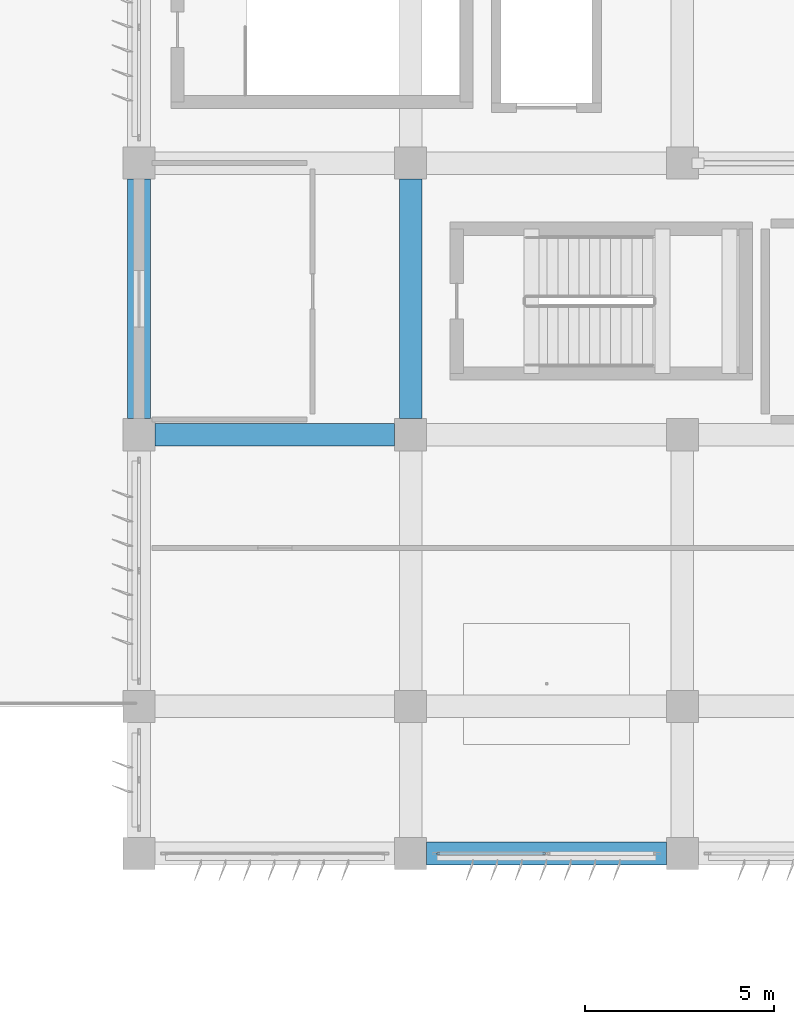
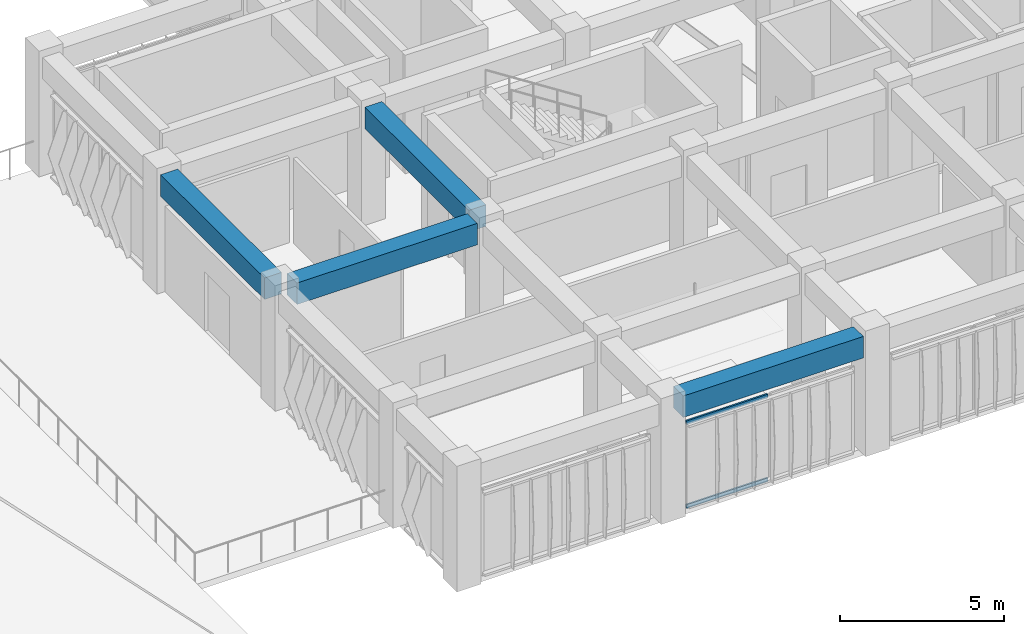
# One storey, part 3 of 55: 4 beams, 2 members, 1 element without a shape of its own.
"""IFC4 building model written with IfcOpenShell, lengths in metres."""

import ifcopenshell
import ifcopenshell.guid

model = None  # the IFC model being written
_history = None  # IfcOwnerHistory: only IFC2X3 demands one
_inside = {}  # id of a spatial element -> (the spatial element, [elements in it])
_under = {}  # id of a project, library or spatial element -> (it, [spatial elements below it])
_declared = {}  # id of a project -> (the project, [libraries it declares])
_typed = {}  # id of a type object -> (the type object, [elements of that type])
_made_of = {}  # id of a material, layer set ... -> (it, [elements and type objects made of it])


def new_model(schema):
    """Start an empty IFC model of exactly this schema.

    Asked for "IFC4X3", IfcOpenShell would pick the latest addendum, in which some entities
    have other attributes; the version numbers below select the first issue.
    IFC2X3 requires an IfcOwnerHistory on every rooted entity: one is made here for all.
    """
    global model, _history
    if schema == "IFC4X3":
        model = ifcopenshell.file(schema_version=(4, 3, 0, 0))
    else:
        model = ifcopenshell.file(schema=schema)
    _inside.clear()
    _under.clear()
    _declared.clear()
    _typed.clear()
    _made_of.clear()
    _history = None
    if model.schema == "IFC2X3":
        org = make("IfcOrganization", Name="unknown")
        user = make(
            "IfcPersonAndOrganization",
            ThePerson=make("IfcPerson", FamilyName="unknown"),
            TheOrganization=org,
        )
        app = make(
            "IfcApplication",
            ApplicationDeveloper=org,
            Version="unknown",
            ApplicationFullName="unknown",
            ApplicationIdentifier="unknown",
        )
        _history = make(
            "IfcOwnerHistory",
            OwningUser=user,
            OwningApplication=app,
            ChangeAction="ADDED",
            CreationDate=0,
        )
    return model


def make(cls, **values):
    """One entity of the class cls with the attributes given. An attribute that is None is left unset."""
    return model.create_entity(
        cls, **{name: value for name, value in values.items() if value is not None}
    )


def rooted(cls, **values):
    """An entity with a GlobalId (a new one), such as an element, a storey or a relation."""
    return make(cls, GlobalId=ifcopenshell.guid.new(), OwnerHistory=_history, **values)


def si_unit(unit_type, name, prefix=None):
    """IfcSIUnit, for example si_unit("LENGTHUNIT", "METRE", prefix="MILLI")."""
    return make("IfcSIUnit", UnitType=unit_type, Prefix=prefix, Name=name)


def assignment(units):
    """IfcUnitAssignment: the units of a project."""
    return None if units is None else make("IfcUnitAssignment", Units=units)


def point(xyz):
    """IfcCartesianPoint."""
    return None if xyz is None else make("IfcCartesianPoint", Coordinates=xyz)


def direction(xyz):
    """IfcDirection."""
    return None if xyz is None else make("IfcDirection", DirectionRatios=xyz)


def frame(location, z_axis=None, x_axis=None):
    """IfcAxis2Placement3D, a coordinate frame: its origin and axes. An axis left out is left unset."""
    return make(
        "IfcAxis2Placement3D",
        Location=point(location),
        Axis=direction(z_axis),
        RefDirection=direction(x_axis),
    )


def frame_2d(location, x_axis=None):
    """IfcAxis2Placement2D, a coordinate frame in the plane: its origin and x axis."""
    return make(
        "IfcAxis2Placement2D", Location=point(location), RefDirection=direction(x_axis)
    )


def origin():
    """The frame at (0, 0, 0) with its axes left unset."""
    return frame((0.0, 0.0, 0.0))


def origin_2d():
    """The frame at (0, 0) in the plane with its x axis left unset."""
    return frame_2d((0.0, 0.0))


def place(relative_to, where):
    """IfcLocalPlacement: puts the frame where relative to a parent placement (None: the world)."""
    return make(
        "IfcLocalPlacement", PlacementRelTo=relative_to, RelativePlacement=where
    )


def context(
    kind, dimensions, precision=None, world=None, true_north=None, identifier=None
):
    """IfcGeometricRepresentationContext, for example the 3D "Model" context."""
    return make(
        "IfcGeometricRepresentationContext",
        ContextIdentifier=identifier,
        ContextType=kind,
        CoordinateSpaceDimension=dimensions,
        Precision=precision,
        WorldCoordinateSystem=world,
        TrueNorth=true_north,
    )


def subcontext(parent, identifier, kind, view, scale=None):
    """IfcGeometricRepresentationSubContext, for example "Body" below "Model"."""
    return make(
        "IfcGeometricRepresentationSubContext",
        ContextIdentifier=identifier,
        ContextType=kind,
        ParentContext=parent,
        TargetScale=scale,
        TargetView=view,
    )


def project(units=None, contexts=None):
    """IfcProject with its units and contexts."""
    return rooted(
        "IfcProject",
        Name="project",
        RepresentationContexts=contexts,
        UnitsInContext=assignment(units),
    )


def spatial(cls, under=None, at=None, **own):
    """A site, building, storey or space (cls), placed at a placement, below another one or the project."""
    s = rooted(cls, ObjectPlacement=at, **own)
    if under is not None:
        _under.setdefault(under.id(), (under, []))[1].append(s)
    return s


def profile(cls, at=None, kind="AREA", **sizes):
    """A parametric profile (cls). Its sizes go by their IFC names, for example OverallWidth=200.0."""
    return make(cls, ProfileType=kind, Position=at, **sizes)


def rectangle(**sizes):
    """IfcRectangleProfileDef."""
    return profile("IfcRectangleProfileDef", **sizes)


def hollow_rectangle(**sizes):
    """IfcRectangleHollowProfileDef."""
    return profile("IfcRectangleHollowProfileDef", **sizes)


def extrude(swept, where, along, depth):
    """IfcExtrudedAreaSolid: the profile swept, set in the frame where, extruded along a direction by depth."""
    return make(
        "IfcExtrudedAreaSolid",
        SweptArea=swept,
        Position=where,
        ExtrudedDirection=direction(along),
        Depth=depth,
    )


def shape(context_of_items, identifier, shape_type, items):
    """IfcShapeRepresentation: the items that make up one representation, for example the "Body"."""
    return make(
        "IfcShapeRepresentation",
        ContextOfItems=context_of_items,
        RepresentationIdentifier=identifier,
        RepresentationType=shape_type,
        Items=items,
    )


def material(Name=None, Category=None):
    """IfcMaterial."""
    return make("IfcMaterial", Name=Name, Category=Category)


def material_profile(
    of_material, cross_section, Name=None, Category=None, Priority=None
):
    """IfcMaterialProfile: a cross section and its material."""
    return make(
        "IfcMaterialProfile",
        Name=Name,
        Material=of_material,
        Profile=cross_section,
        Priority=Priority,
        Category=Category,
    )


def profile_set(profiles, Name=None, composite=None):
    """IfcMaterialProfileSet."""
    return make(
        "IfcMaterialProfileSet",
        Name=Name,
        MaterialProfiles=profiles,
        CompositeProfile=composite,
    )


def made_of(thing, what):
    """Note that an element or type object is made of a material, layer set ...; save() writes the relation."""
    if what is not None:
        _made_of.setdefault(what.id(), (what, []))[1].append(thing)
    return thing


def type_object(cls, material=None, **own):
    """A type object (cls), such as IfcWallType, which elements share."""
    return made_of(rooted(cls, **own), material)


def element(
    cls,
    number,
    at=None,
    inside=None,
    cuts=None,
    type_object=None,
    material=None,
    context=None,
    identifier="Body",
    shape_type=None,
    held_by="IfcProductDefinitionShape",
    body=None,
    shapes=None,
    **own,
):
    """One element of the class cls, such as IfcWall. Its Tag is "e" and its number.

    at: its placement. inside: the storey or other place that contains it. cuts: it is an
    opening in that element (IfcRelVoidsElement). A single representation is given by context,
    identifier, shape_type and body (its items); several are given by shapes. held_by: the class
    of the entity that holds the representations. save() writes the other relations.
    """
    e = rooted(cls, Tag="e%d" % number, ObjectPlacement=at, **own)
    if body is not None:
        shapes = [shape(context, identifier, shape_type, body)]
    if shapes is not None:
        e.Representation = make(held_by, Representations=shapes)
    if inside is not None:
        _inside.setdefault(inside.id(), (inside, []))[1].append(e)
    if cuts is not None:
        rooted(
            "IfcRelVoidsElement", RelatingBuildingElement=cuts, RelatedOpeningElement=e
        )
    if type_object is not None:
        _typed.setdefault(type_object.id(), (type_object, []))[1].append(e)
    return made_of(e, material)


def aggregate(whole, parts):
    """IfcRelAggregates: a whole, such as a stair, and the parts it consists of."""
    return rooted("IfcRelAggregates", RelatingObject=whole, RelatedObjects=parts)


def save(model, path):
    """Write the relations noted so far, then the file.

    IfcRelAggregates (storeys below a building ...), IfcRelContainedInSpatialStructure (elements
    in a storey), IfcRelDefinesByType, IfcRelAssociatesMaterial and IfcRelDeclares: one each for
    every whole, place, type object, material and project.
    """
    for whole, parts in _under.values():
        aggregate(whole, parts)
    for where, things in _inside.values():
        rooted(
            "IfcRelContainedInSpatialStructure",
            RelatedElements=things,
            RelatingStructure=where,
        )
    for kind, things in _typed.values():
        rooted("IfcRelDefinesByType", RelatedObjects=things, RelatingType=kind)
    for what, things in _made_of.values():
        rooted("IfcRelAssociatesMaterial", RelatedObjects=things, RelatingMaterial=what)
    for by, libraries in _declared.values():
        rooted("IfcRelDeclares", RelatingContext=by, RelatedDefinitions=libraries)
    model.write(path)


model = new_model("IFC4")

# Units and contexts
model_context = context("Model", 3, precision=1e-05, world=origin(), true_north=direction((0.0, 1.0)))
body_context = subcontext(model_context, "Body", "Model", "MODEL_VIEW")
ifc_project = project(units=[si_unit("LENGTHUNIT", "METRE"), si_unit("AREAUNIT", "SQUARE_METRE"), si_unit("VOLUMEUNIT", "CUBIC_METRE"), si_unit("PLANEANGLEUNIT", "RADIAN"), si_unit("MASSUNIT", "GRAM", prefix="KILO")], contexts=[model_context])

# Site, building, storey
site_placement = place(None, origin())
site = spatial("IfcSite", under=ifc_project, at=site_placement, CompositionType="ELEMENT")
building_placement = place(site_placement, origin())
building = spatial("IfcBuilding", under=site, at=building_placement, Name="Kazehaya Institute of Natural Sciences", CompositionType="ELEMENT")
storey_placement = place(building_placement, frame((0.0, 0.0, 15.1201171875)))
storey = spatial("IfcBuildingStorey", under=building, at=storey_placement, Name="L03", CompositionType="ELEMENT", Elevation=15.1201171875)

# Beams
ifc_material_1 = material(Name="Concrete Fc36", Category="concrete")
ifc_material_profile_1 = material_profile(ifc_material_1, rectangle(XDim=0.60009765625, YDim=0.800048828125, at=origin_2d()), Name="RC-600x800")
ifc_profile_set_1 = profile_set([ifc_material_profile_1], Name="Concrete Fc36")
beam_type = type_object("IfcBeamType", Name="BM-G-600x800", PredefinedType="BEAM", material=ifc_profile_set_1)
beam_placement = place(storey_placement, frame((62.22509765625, 10.10009765625, 4.009765625), z_axis=(1.0, 0.0, 0.0), x_axis=(0.0, 1.0, 0.0)))
element("IfcBeam", 1, at=beam_placement, inside=storey, type_object=beam_type, Name="L03 primary X girder BMX-L03-618-101", PredefinedType="BEAM", context=body_context, shape_type="SweptSolid", body=[
    extrude(rectangle(XDim=0.60009765625, YDim=0.800048828125, at=origin_2d()), origin(), (0.0, 0.0, 1.0), 6.349853515625),
])
for number, where, z_axis, x_axis, name in (
    (2, (55.02490234375, 21.199951171875, 4.009765625), (1.0, 0.0, 0.0), (0.0, 1.0, 0.0), "L03 primary X girder BMX-L03-546-212"),
    (3, (54.60009765625, 21.625, 4.009765625), (0.0, 1.0, 0.0), (-1.0, 0.0, 0.0), "L03 primary Y girder BMY-L03-546-212"),
    (4, (61.800048828125, 21.625, 4.009765625), (0.0, 1.0, 0.0), (-1.0, 0.0, 0.0), "L03 primary Y girder BMY-L03-618-212"),
):
    element("IfcBeam", number, at=place(storey_placement, frame(where, z_axis=z_axis, x_axis=x_axis)), inside=storey, type_object=beam_type, Name=name, PredefinedType="BEAM", context=body_context, shape_type="SweptSolid", body=[
        extrude(rectangle(XDim=0.60009765625, YDim=0.800048828125, at=origin_2d()), origin(), (0.0, 0.0, 1.0), 6.35009765625),
    ])

# Curtain wall, members
ifc_material_2 = material(Name="Aluminium alloy A6063S-T5", Category="aluminium")
curtain_wall_type = type_object("IfcCurtainWallType", Name="CW-SYS-03", PredefinedType="NOTDEFINED", material=ifc_material_2)
curtain_wall_placement = place(storey_placement, origin())
curtain_wall = element("IfcCurtainWall", 5, at=curtain_wall_placement, inside=storey, type_object=curtain_wall_type, Name="L03 unitised curtain wall CW-L03-064", PredefinedType="NOTDEFINED")
ifc_material_profile_2 = material_profile(ifc_material_2, hollow_rectangle(XDim=0.06005859375, YDim=0.139892578125, WallThickness=0.00341796875, at=origin_2d()), Name="ALU-60x140x3.5")
ifc_profile_set_2 = profile_set([ifc_material_profile_2], Name="Aluminium alloy A6063S-T5")
member_type = type_object("IfcMemberType", Name="CWT-140", PredefinedType="USERDEFINED", material=ifc_profile_set_2)
member_1_placement = place(storey_placement, frame((65.3701171875, 10.10009765625, 0.02978515625), z_axis=(-1.0, 0.0, 0.0), x_axis=(0.0, -1.0, 0.0)))
member_1 = element("IfcMember", 6, at=member_1_placement, type_object=member_type, Name="CW03 transom 2.1", ObjectType="TRANSOM", PredefinedType="USERDEFINED", context=body_context, shape_type="SweptSolid", body=[
    extrude(hollow_rectangle(XDim=0.06005859375, YDim=0.139892578125, WallThickness=0.00341796875, at=origin_2d()), origin(), (0.0, 0.0, 1.0), 2.8701171875),
])
member_2_placement = place(storey_placement, frame((65.3701171875, 10.10009765625, 3.14990234375), z_axis=(-1.0, 0.0, 0.0), x_axis=(0.0, -1.0, 0.0)))
member_2 = element("IfcMember", 7, at=member_2_placement, type_object=member_type, Name="CW03 transom 2.2", ObjectType="TRANSOM", PredefinedType="USERDEFINED", context=body_context, shape_type="SweptSolid", body=[
    extrude(hollow_rectangle(XDim=0.06005859375, YDim=0.139892578125, WallThickness=0.00341796875, at=origin_2d()), origin(), (0.0, 0.0, 1.0), 2.8701171875),
])
aggregate(curtain_wall, [member_1, member_2])

save(model, "model.ifc")
